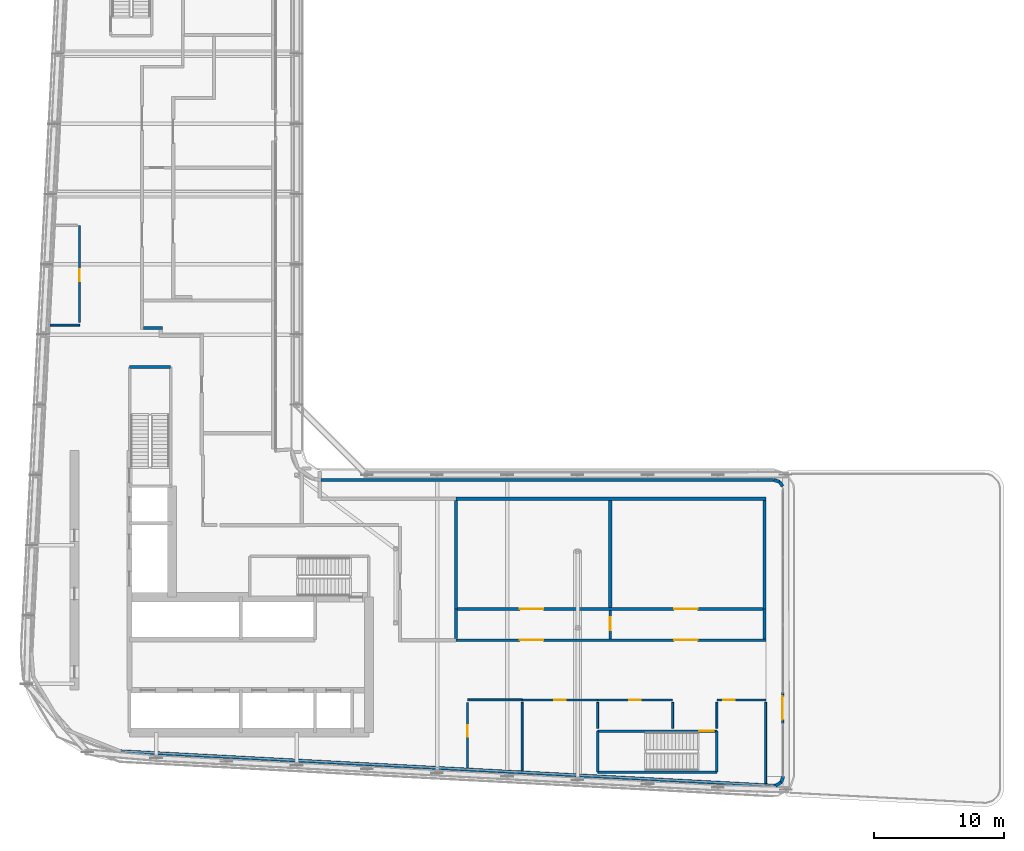
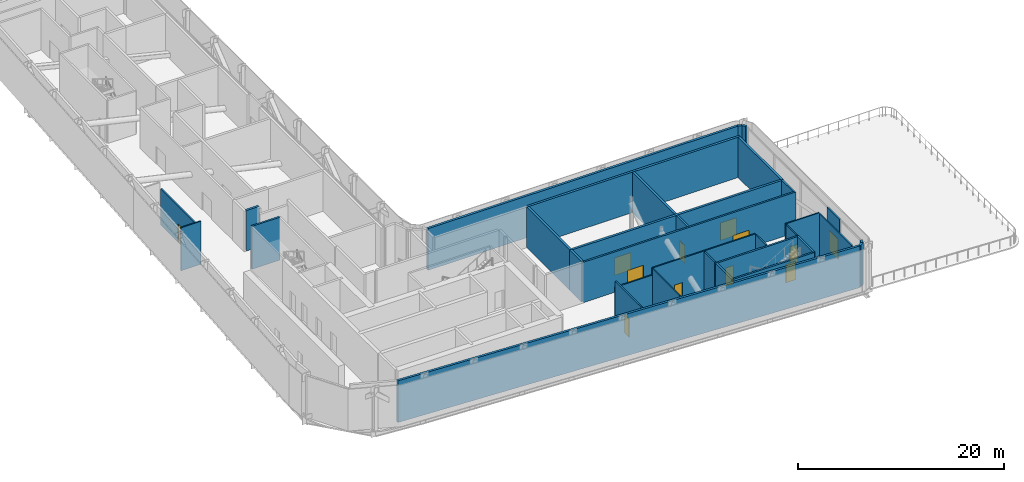
# One storey, part 14 of 23: 34 walls, 12 doors, 12 openings.
"""IFC4 building model written with IfcOpenShell, lengths in metres."""

from ifc_helpers import new_model, si_unit, direction, frame, frame_2d, origin, place, context, subcontext, project, spatial, rectangle, extrude, source, transform, mapped, material, layer, layer_set, type_object, element, fill, save


model = new_model("IFC4")

# Units and contexts
model_context = context("Model", 3, precision=1e-05, world=origin(), true_north=direction((0.0, 1.0)))
body_context = subcontext(model_context, "Body", "Model", "MODEL_VIEW")
ifc_project = project(units=[si_unit("LENGTHUNIT", "METRE"), si_unit("AREAUNIT", "SQUARE_METRE"), si_unit("VOLUMEUNIT", "CUBIC_METRE"), si_unit("PLANEANGLEUNIT", "RADIAN"), si_unit("MASSUNIT", "GRAM", prefix="KILO")], contexts=[model_context])

# Site, building, storey
site_placement = place(None, origin())
site = spatial("IfcSite", under=ifc_project, at=site_placement, CompositionType="ELEMENT")
building_placement = place(site_placement, origin())
building = spatial("IfcBuilding", under=site, at=building_placement, Name="Kheshtan School and Residences Tower", CompositionType="ELEMENT")
storey_placement = place(building_placement, frame((0.0, 0.0, 211.10009765625)))
storey = spatial("IfcBuildingStorey", under=building, at=storey_placement, Name="L49", CompositionType="ELEMENT", Elevation=211.10009765625)

# Wall, openings, doors
ifc_material_1 = material(Name="Gypsum board on steel studs with fire boards", Category="steel")
ifc_layer_1 = layer(ifc_material_1, 0.199951171875)
ifc_layer_set_1 = layer_set([ifc_layer_1], Name="Corridor wall 200")
wall_type_1 = type_object("IfcWallType", Name="Corridor wall 200", PredefinedType="PARTITIONING", material=ifc_layer_set_1)
wall_1_placement = place(storey_placement, frame((59.85302734375, 32.89990234375, 0.0), z_axis=(0.0, 0.0, 1.0), x_axis=(1.0, 0.0, 0.0)))
wall_1 = element("IfcWall", 1, at=wall_1_placement, inside=storey, type_object=wall_type_1, Name="Partition L49-053", PredefinedType="PARTITIONING", context=body_context, shape_type="SweptSolid", body=[
    extrude(rectangle(XDim=23.826904296875, YDim=0.199951171875, at=frame_2d((11.91357421875, 0.0))), origin(), (0.0, 0.0, 1.0), 4.7998046875),
])
opening_1_placement = place(wall_1_placement, frame((4.9140625, 0.0, 0.0)))
opening_1 = element("IfcOpeningElement", 2, at=opening_1_placement, cuts=wall_1, Name="Opening D49-010", PredefinedType="OPENING", context=body_context, shape_type="SweptSolid", body=[
    extrude(rectangle(XDim=1.800048828125, YDim=2.10009765625, at=frame_2d((0.89990234375, 1.050048828125))), frame((0.0, 0.10986328125, 0.0), z_axis=(0.0, -1.0, 0.0), x_axis=(1.0, 0.0, 0.0)), (0.0, 0.0, 1.0), 0.219970703125),
])
opening_2_placement = place(wall_1_placement, frame((16.777099609375, 0.0, 0.0)))
opening_2 = element("IfcOpeningElement", 3, at=opening_2_placement, cuts=wall_1, Name="Opening D49-012", PredefinedType="OPENING", context=body_context, shape_type="SweptSolid", body=[
    extrude(rectangle(XDim=1.800048828125, YDim=2.10009765625, at=frame_2d((0.89990234375, 1.050048828125))), frame((0.0, 0.10986328125, 0.0), z_axis=(0.0, -1.0, 0.0), x_axis=(1.0, 0.0, 0.0)), (0.0, 0.0, 1.0), 0.219970703125),
])
ifc_material_2 = material(Name="Steel-framed fire-resisting door leaf", Category="steel")
door_type_1 = type_object("IfcDoorType", Name="Fire double door FD60 1800 x 2100", OperationType="DOUBLE_DOOR_SINGLE_SWING", PredefinedType="DOOR", material=ifc_material_2)
shared_shape_1 = source(origin(), body_context, "Body", "SweptSolid", [
    extrude(rectangle(XDim=1.800048828125, YDim=2.10009765625, at=frame_2d((0.89990234375, 1.050048828125))), frame((0.0, 0.02490234375, 0.0), z_axis=(0.0, -1.0, 0.0), x_axis=(1.0, 0.0, 0.0)), (0.0, 0.0, 1.0), 0.050048828125),
])
door_1_placement = place(opening_1_placement, origin())
door_1 = element("IfcDoor", 4, at=door_1_placement, inside=storey, type_object=door_type_1, Name="Door D49-010", OperationType="DOUBLE_DOOR_SINGLE_SWING", OverallHeight=2.10009765625, OverallWidth=1.800048828125, PredefinedType="DOOR", context=body_context, shape_type="MappedRepresentation", body=[
    mapped(shared_shape_1, transform((0.0, 0.0, 0.0), x_axis=(1.0, 0.0, 0.0), y_axis=(0.0, 1.0, 0.0), z_axis=(0.0, 0.0, 1.0), scale=1.0)),
])
fill(opening_1, door_1)
door_2_placement = place(opening_2_placement, origin())
door_2 = element("IfcDoor", 5, at=door_2_placement, inside=storey, type_object=door_type_1, Name="Door D49-012", OperationType="DOUBLE_DOOR_SINGLE_SWING", OverallHeight=2.10009765625, OverallWidth=1.800048828125, PredefinedType="DOOR", context=body_context, shape_type="MappedRepresentation", body=[
    mapped(shared_shape_1, transform((0.0, 0.0, 0.0), x_axis=(1.0, 0.0, 0.0), y_axis=(0.0, 1.0, 0.0), z_axis=(0.0, 0.0, 1.0), scale=1.0)),
])
fill(opening_2, door_2)

# Wall, opening, door
wall_2_placement = place(storey_placement, frame((71.717041015625, 33.0, 0.0), z_axis=(0.0, 0.0, 1.0), x_axis=(0.0, 1.0, 0.0)))
wall_2 = element("IfcWall", 6, at=wall_2_placement, inside=storey, type_object=wall_type_1, Name="Partition L49-058", PredefinedType="PARTITIONING", context=body_context, shape_type="SweptSolid", body=[
    extrude(rectangle(XDim=2.175048828125, YDim=0.199951171875, at=frame_2d((1.08740234375, 0.0))), origin(), (0.0, 0.0, 1.0), 4.7998046875),
])
opening_3_placement = place(wall_2_placement, frame((0.64990234375, 0.0, 0.0)))
opening_3 = element("IfcOpeningElement", 7, at=opening_3_placement, cuts=wall_2, Name="Opening D49-011", PredefinedType="OPENING", context=body_context, shape_type="SweptSolid", body=[
    extrude(rectangle(XDim=1.0, YDim=2.10009765625, at=frame_2d((0.5, 1.050048828125))), frame((0.0, 0.10986328125, 0.0), z_axis=(0.0, -1.0, 0.0), x_axis=(1.0, 0.0, 0.0)), (0.0, 0.0, 1.0), 0.219970703125),
])
door_type_2 = type_object("IfcDoorType", Name="Fire door FD60 1000 x 2100", OperationType="SINGLE_SWING_LEFT", PredefinedType="DOOR", material=ifc_material_2)
shared_shape_2 = source(origin(), body_context, "Body", "SweptSolid", [
    extrude(rectangle(XDim=1.0, YDim=2.10009765625, at=frame_2d((0.5, 1.050048828125))), frame((0.0, 0.02490234375, 0.0), z_axis=(0.0, -1.0, 0.0), x_axis=(1.0, 0.0, 0.0)), (0.0, 0.0, 1.0), 0.050048828125),
])
door_3_placement = place(opening_3_placement, origin())
door_3 = element("IfcDoor", 8, at=door_3_placement, inside=storey, type_object=door_type_2, Name="Door D49-011", OperationType="SINGLE_SWING_LEFT", OverallHeight=2.10009765625, OverallWidth=1.0, PredefinedType="DOOR", context=body_context, shape_type="MappedRepresentation", body=[
    mapped(shared_shape_2, transform((0.0, 0.0, 0.0), x_axis=(1.0, 0.0, 0.0), y_axis=(0.0, 1.0, 0.0), z_axis=(0.0, 0.0, 1.0), scale=1.0)),
])
fill(opening_3, door_3)

# Walls
wall_3_placement = place(storey_placement, frame((83.580078125, 33.0, 0.0), z_axis=(0.0, 0.0, 1.0), x_axis=(0.0, 1.0, 0.0)))
element("IfcWall", 9, at=wall_3_placement, inside=storey, type_object=wall_type_1, Name="Partition L49-060", PredefinedType="PARTITIONING", context=body_context, shape_type="SweptSolid", body=[
    extrude(rectangle(XDim=2.300048828125, YDim=0.199951171875, at=frame_2d((1.14990234375, 0.0))), origin(), (0.0, 0.0, 1.0), 4.7998046875),
])
ifc_material_3 = material(Name="Concrete C40/50 with ceramic cladding and mineral wool insulation", Category="concrete")
ifc_layer_2 = layer(ifc_material_3, 0.25)
ifc_layer_set_2 = layer_set([ifc_layer_2], Name="External wall 250 ceramic clad")
wall_type_2 = type_object("IfcWallType", Name="External wall 250 ceramic clad", PredefinedType="SOLIDWALL", material=ifc_layer_set_2)
wall_4_placement = place(storey_placement, frame((84.2890625, 45.22509765625, 0.0), z_axis=(0.0, 0.0, 1.0), x_axis=(0.952979365451, -0.303035194367, 0.0)))
element("IfcWall", 10, at=wall_4_placement, inside=storey, type_object=wall_type_2, Name="External wall L49 1", PredefinedType="SOLIDWALL", context=body_context, shape_type="SweptSolid", body=[
    extrude(rectangle(XDim=0.478515625, YDim=0.25, at=frame_2d((0.2392578125, 0.0))), origin(), (0.0, 0.0, 1.0), 4.949951171875),
])
wall_5_placement = place(storey_placement, frame((84.7451171875, 45.080078125, 0.0), z_axis=(0.0, 0.0, 1.0), x_axis=(0.553909274329, -0.83257703296, 0.0)))
element("IfcWall", 11, at=wall_5_placement, inside=storey, type_object=wall_type_2, Name="External wall L49 2", PredefinedType="SOLIDWALL", context=body_context, shape_type="SweptSolid", body=[
    extrude(rectangle(XDim=0.427490234375, YDim=0.25, at=frame_2d((0.2138671875, 0.0))), origin(), (0.0, 0.0, 1.0), 4.949951171875),
])
wall_6_placement = place(storey_placement, frame((85.01904296875, 22.426025390625, 0.0), z_axis=(0.0, 0.0, 1.0), x_axis=(-0.311719287372, -0.950174239748, 0.0)))
element("IfcWall", 12, at=wall_6_placement, inside=storey, type_object=wall_type_2, Name="External wall L49 4", PredefinedType="SOLIDWALL", context=body_context, shape_type="SweptSolid", body=[
    extrude(rectangle(XDim=0.471435546875, YDim=0.25, at=frame_2d((0.23583984375, 0.0))), origin(), (0.0, 0.0, 1.0), 4.949951171875),
])
wall_7_placement = place(storey_placement, frame((84.8720703125, 21.97802734375, 0.0), z_axis=(0.0, 0.0, 1.0), x_axis=(-0.848912677732, -0.52853312629, 0.0)))
element("IfcWall", 13, at=wall_7_placement, inside=storey, type_object=wall_type_2, Name="External wall L49 5", PredefinedType="SOLIDWALL", context=body_context, shape_type="SweptSolid", body=[
    extrude(rectangle(XDim=0.524169921875, YDim=0.25, at=frame_2d((0.26220703125, 0.0))), origin(), (0.0, 0.0, 1.0), 4.949951171875),
])
wall_8_placement = place(storey_placement, frame((84.427001953125, 21.700927734375, 0.0), z_axis=(0.0, 0.0, 1.0), x_axis=(-0.998617722402, 0.052560864767, 0.0)))
element("IfcWall", 14, at=wall_8_placement, inside=storey, type_object=wall_type_2, Name="External wall L49 6", PredefinedType="SOLIDWALL", context=body_context, shape_type="SweptSolid", body=[
    extrude(rectangle(XDim=50.457763671875, YDim=0.25, at=frame_2d((25.22900390625, 0.0))), origin(), (0.0, 0.0, 1.0), 4.949951171875),
])
wall_9_placement = place(storey_placement, frame((49.47705078125, 45.22509765625, 0.0), z_axis=(0.0, 0.0, 1.0), x_axis=(1.0, 0.0, 0.0)))
element("IfcWall", 15, at=wall_9_placement, inside=storey, type_object=wall_type_2, Name="External wall L49 24", PredefinedType="SOLIDWALL", context=body_context, shape_type="SweptSolid", body=[
    extrude(rectangle(XDim=34.81201171875, YDim=0.25, at=frame_2d((17.406005859375, 0.0))), origin(), (0.0, 0.0, 1.0), 4.949951171875),
])

# Wall, opening, door
ifc_material_4 = material(Name="Aluminium frame wall with insulated infill", Category="aluminium")
ifc_layer_3 = layer(ifc_material_4, 0.14990234375)
ifc_layer_set_3 = layer_set([ifc_layer_3], Name="Glazing frame wall 150")
wall_type_3 = type_object("IfcWallType", Name="Glazing frame wall 150", PredefinedType="SOLIDWALL", material=ifc_layer_set_3)
wall_10_placement = place(storey_placement, frame((84.97509765625, 28.8701171875, 0.0), z_axis=(0.0, 0.0, 1.0), x_axis=(0.0, -1.0, 0.0)))
wall_10 = element("IfcWall", 16, at=wall_10_placement, inside=storey, type_object=wall_type_3, Name="Terrace door wall L49 3", PredefinedType="SOLIDWALL", context=body_context, shape_type="SweptSolid", body=[
    extrude(rectangle(XDim=2.400146484375, YDim=0.14990234375, at=frame_2d((1.2001953125, 0.0))), origin(), (0.0, 0.0, 1.0), 4.949951171875),
])
opening_4_placement = place(wall_10_placement, frame((0.300048828125, 0.0, 0.0)))
opening_4 = element("IfcOpeningElement", 17, at=opening_4_placement, cuts=wall_10, Name="Opening BD", PredefinedType="OPENING", context=body_context, shape_type="SweptSolid", body=[
    extrude(rectangle(XDim=1.800048828125, YDim=2.39990234375, at=frame_2d((0.89990234375, 1.199951171875))), frame((0.0, 0.0849609375, 0.0), z_axis=(0.0, -1.0, 0.0), x_axis=(1.0, 0.0, 0.0)), (0.0, 0.0, 1.0), 0.169921875),
])
ifc_material_5 = material(Name="Clear low-e glass in thermally broken aluminium frame", Category="aluminium")
door_type_3 = type_object("IfcDoorType", Name="Balcony sliding door", OperationType="SLIDING_TO_LEFT", PredefinedType="DOOR", material=ifc_material_5)
shared_shape_3 = source(origin(), body_context, "Body", "SweptSolid", [
    extrude(rectangle(XDim=1.800048828125, YDim=2.39990234375, at=frame_2d((0.89990234375, 1.199951171875))), frame((0.0, 0.02490234375, 0.0), z_axis=(0.0, -1.0, 0.0), x_axis=(1.0, 0.0, 0.0)), (0.0, 0.0, 1.0), 0.050048828125),
])
door_4_placement = place(opening_4_placement, origin())
door_4 = element("IfcDoor", 18, at=door_4_placement, inside=storey, type_object=door_type_3, Name="Terrace door L49 3", OperationType="SLIDING_TO_LEFT", OverallHeight=2.39990234375, OverallWidth=1.800048828125, PredefinedType="DOOR", context=body_context, shape_type="MappedRepresentation", body=[
    mapped(shared_shape_3, transform((0.0, 0.0, 0.0), x_axis=(1.0, 0.0, 0.0), y_axis=(0.0, 1.0, 0.0), z_axis=(0.0, 0.0, 1.0), scale=1.0)),
])
fill(opening_4, door_4)

# Walls
ifc_material_6 = material(Name="Fire-board and steel stud wall with mineral wool", Category="steel")
ifc_layer_4 = layer(ifc_material_6, 0.25)
ifc_layer_set_4 = layer_set([ifc_layer_4], Name="Plant room wall 250")
wall_type_4 = type_object("IfcWallType", Name="Plant room wall 250", PredefinedType="PARTITIONING", material=ifc_layer_set_4)
wall_11_placement = place(storey_placement, frame((35.824951171875, 56.89990234375, 0.0), z_axis=(0.0, 0.0, 1.0), x_axis=(1.0, 0.0, 0.0)))
element("IfcWall", 19, at=wall_11_placement, inside=storey, type_object=wall_type_4, Name="Partition L49-013", PredefinedType="PARTITIONING", context=body_context, shape_type="SweptSolid", body=[
    extrude(rectangle(XDim=1.449951171875, YDim=0.25, at=frame_2d((0.72509765625, 0.0))), origin(), (0.0, 0.0, 1.0), 4.7998046875),
])
wall_12_placement = place(storey_placement, frame((59.85302734375, 33.02490234375, 0.0), z_axis=(0.0, 0.0, 1.0), x_axis=(0.0, 1.0, 0.0)))
element("IfcWall", 20, at=wall_12_placement, inside=storey, type_object=wall_type_4, Name="Partition L49-054", PredefinedType="PARTITIONING", context=body_context, shape_type="SweptSolid", body=[
    extrude(rectangle(XDim=2.275146484375, YDim=0.25, at=frame_2d((1.1376953125, 0.0))), origin(), (0.0, 0.0, 1.0), 4.7998046875),
])
ifc_layer_5 = layer(ifc_material_6, 0.25)
ifc_layer_set_5 = layer_set([ifc_layer_5], Name="Refuge compartment wall 250")
wall_type_5 = type_object("IfcWallType", Name="Refuge compartment wall 250", PredefinedType="PARTITIONING", material=ifc_layer_set_5)
wall_13_placement = place(storey_placement, frame((59.85302734375, 35.300048828125, 0.0), z_axis=(0.0, 0.0, 1.0), x_axis=(0.0, 1.0, 0.0)))
element("IfcWall", 21, at=wall_13_placement, inside=storey, type_object=wall_type_5, Name="Partition L49-055", PredefinedType="PARTITIONING", context=body_context, shape_type="SweptSolid", body=[
    extrude(rectangle(XDim=8.35498046875, YDim=0.25, at=frame_2d((4.177490234375, 0.0))), origin(), (0.0, 0.0, 1.0), 4.7998046875),
])
wall_14_placement = place(storey_placement, frame((59.85302734375, 43.780029296875, 0.0), z_axis=(0.0, 0.0, 1.0), x_axis=(1.0, 0.0, 0.0)))
element("IfcWall", 22, at=wall_14_placement, inside=storey, type_object=wall_type_5, Name="Partition L49-056", PredefinedType="PARTITIONING", context=body_context, shape_type="SweptSolid", body=[
    extrude(rectangle(XDim=23.85205078125, YDim=0.25, at=frame_2d((11.926025390625, 0.0))), origin(), (0.0, 0.0, 1.0), 4.7998046875),
])

# Wall, openings, doors
wall_15_placement = place(storey_placement, frame((59.97802734375, 35.300048828125, 0.0), z_axis=(0.0, 0.0, 1.0), x_axis=(1.0, 0.0, 0.0)))
wall_15 = element("IfcWall", 23, at=wall_15_placement, inside=storey, type_object=wall_type_5, Name="Partition L49-057", PredefinedType="PARTITIONING", context=body_context, shape_type="SweptSolid", body=[
    extrude(rectangle(XDim=23.47705078125, YDim=0.25, at=frame_2d((11.738525390625, 0.0))), origin(), (0.0, 0.0, 1.0), 4.7998046875),
])
opening_5_placement = place(wall_15_placement, frame((4.7890625, 0.0, 0.0)))
opening_5 = element("IfcOpeningElement", 24, at=opening_5_placement, cuts=wall_15, Name="Opening D49-002", PredefinedType="OPENING", context=body_context, shape_type="SweptSolid", body=[
    extrude(rectangle(XDim=1.800048828125, YDim=2.10009765625, at=frame_2d((0.89990234375, 1.050048828125))), frame((0.0, 0.135009765625, 0.0), z_axis=(0.0, -1.0, 0.0), x_axis=(1.0, 0.0, 0.0)), (0.0, 0.0, 1.0), 0.27001953125),
])
opening_6_placement = place(wall_15_placement, frame((16.652099609375, 0.0, 0.0)))
opening_6 = element("IfcOpeningElement", 25, at=opening_6_placement, cuts=wall_15, Name="Opening D49-003", PredefinedType="OPENING", context=body_context, shape_type="SweptSolid", body=[
    extrude(rectangle(XDim=1.800048828125, YDim=2.10009765625, at=frame_2d((0.89990234375, 1.050048828125))), frame((0.0, 0.135009765625, 0.0), z_axis=(0.0, -1.0, 0.0), x_axis=(1.0, 0.0, 0.0)), (0.0, 0.0, 1.0), 0.27001953125),
])
door_type_4 = type_object("IfcDoorType", Name="Fire double door FD120 1800 x 2100", OperationType="DOUBLE_DOOR_SINGLE_SWING", PredefinedType="DOOR", material=ifc_material_2)
shared_shape_4 = source(origin(), body_context, "Body", "SweptSolid", [
    extrude(rectangle(XDim=1.800048828125, YDim=2.10009765625, at=frame_2d((0.89990234375, 1.050048828125))), frame((0.0, 0.02490234375, 0.0), z_axis=(0.0, -1.0, 0.0), x_axis=(1.0, 0.0, 0.0)), (0.0, 0.0, 1.0), 0.050048828125),
])
door_5_placement = place(opening_5_placement, origin())
door_5 = element("IfcDoor", 26, at=door_5_placement, inside=storey, type_object=door_type_4, Name="Door D49-002", OperationType="DOUBLE_DOOR_SINGLE_SWING", OverallHeight=2.10009765625, OverallWidth=1.800048828125, PredefinedType="DOOR", context=body_context, shape_type="MappedRepresentation", body=[
    mapped(shared_shape_4, transform((0.0, 0.0, 0.0), x_axis=(1.0, 0.0, 0.0), y_axis=(0.0, 1.0, 0.0), z_axis=(0.0, 0.0, 1.0), scale=1.0)),
])
fill(opening_5, door_5)
door_6_placement = place(opening_6_placement, origin())
door_6 = element("IfcDoor", 27, at=door_6_placement, inside=storey, type_object=door_type_4, Name="Door D49-003", OperationType="DOUBLE_DOOR_SINGLE_SWING", OverallHeight=2.10009765625, OverallWidth=1.800048828125, PredefinedType="DOOR", context=body_context, shape_type="MappedRepresentation", body=[
    mapped(shared_shape_4, transform((0.0, 0.0, 0.0), x_axis=(1.0, 0.0, 0.0), y_axis=(0.0, 1.0, 0.0), z_axis=(0.0, 0.0, 1.0), scale=1.0)),
])
fill(opening_6, door_6)

# Walls
wall_16_placement = place(storey_placement, frame((71.717041015625, 35.425048828125, 0.0), z_axis=(0.0, 0.0, 1.0), x_axis=(0.0, 1.0, 0.0)))
element("IfcWall", 28, at=wall_16_placement, inside=storey, type_object=wall_type_5, Name="Partition L49-059", PredefinedType="PARTITIONING", context=body_context, shape_type="SweptSolid", body=[
    extrude(rectangle(XDim=8.22998046875, YDim=0.25, at=frame_2d((4.114990234375, 0.0))), origin(), (0.0, 0.0, 1.0), 4.7998046875),
])
wall_17_placement = place(storey_placement, frame((83.580078125, 35.300048828125, 0.0), z_axis=(0.0, 0.0, 1.0), x_axis=(0.0, 1.0, 0.0)))
element("IfcWall", 29, at=wall_17_placement, inside=storey, type_object=wall_type_5, Name="Partition L49-061", PredefinedType="PARTITIONING", context=body_context, shape_type="SweptSolid", body=[
    extrude(rectangle(XDim=8.35498046875, YDim=0.25, at=frame_2d((4.177490234375, 0.0))), origin(), (0.0, 0.0, 1.0), 4.7998046875),
])
ifc_material_7 = material(Name="Fire-board shaft wall system")
ifc_layer_6 = layer(ifc_material_7, 0.14990234375)
ifc_layer_set_6 = layer_set([ifc_layer_6], Name="Service room wall 150")
wall_type_6 = type_object("IfcWallType", Name="Service room wall 150", PredefinedType="PARTITIONING", material=ifc_layer_set_6)
wall_18_placement = place(storey_placement, frame((28.64599609375, 57.123046875, 0.0), z_axis=(0.0, 0.0, 1.0), x_axis=(1.0, 0.0, 0.0)))
element("IfcWall", 30, at=wall_18_placement, inside=storey, type_object=wall_type_6, Name="Service room wall", PredefinedType="PARTITIONING", context=body_context, shape_type="SweptSolid", body=[
    extrude(rectangle(XDim=2.25390625, YDim=0.14990234375, at=frame_2d((1.126953125, 0.0))), origin(), (0.0, 0.0, 1.0), 5.099853515625),
])

# Wall, opening, door
wall_19_placement = place(storey_placement, frame((30.89990234375, 57.318115234375, 0.0), z_axis=(0.0, 0.0, 1.0), x_axis=(0.0, 1.0, 0.0)))
wall_19 = element("IfcWall", 31, at=wall_19_placement, inside=storey, type_object=wall_type_6, Name="Service room wall", PredefinedType="PARTITIONING", context=body_context, shape_type="SweptSolid", body=[
    extrude(rectangle(XDim=7.48193359375, YDim=0.14990234375, at=frame_2d((3.740966796875, 0.0))), origin(), (0.0, 0.0, 1.0), 4.27197265625),
])
opening_7_placement = place(wall_19_placement, frame((3.194091796875, 0.0, 0.0)))
opening_7 = element("IfcOpeningElement", 32, at=opening_7_placement, cuts=wall_19, Name="Opening SR90", PredefinedType="OPENING", context=body_context, shape_type="SweptSolid", body=[
    extrude(rectangle(XDim=0.89990234375, YDim=2.199951171875, at=frame_2d((0.449951171875, 1.10009765625))), frame((0.0, 0.0849609375, 0.0), z_axis=(0.0, -1.0, 0.0), x_axis=(1.0, 0.0, 0.0)), (0.0, 0.0, 1.0), 0.169921875),
])
ifc_material_8 = material(Name="Steel door leaf, galvanised", Category="steel")
door_type_5 = type_object("IfcDoorType", Name="Service room door 900 steel 90 min", OperationType="SINGLE_SWING_LEFT", PredefinedType="DOOR", material=ifc_material_8)
shared_shape_5 = source(origin(), body_context, "Body", "SweptSolid", [
    extrude(rectangle(XDim=0.89990234375, YDim=2.199951171875, at=frame_2d((0.449951171875, 1.10009765625))), frame((0.0, 0.02490234375, 0.0), z_axis=(0.0, -1.0, 0.0), x_axis=(1.0, 0.0, 0.0)), (0.0, 0.0, 1.0), 0.050048828125),
])
door_7_placement = place(opening_7_placement, origin())
door_7 = element("IfcDoor", 33, at=door_7_placement, inside=storey, type_object=door_type_5, Name="Service room door", OperationType="SINGLE_SWING_RIGHT", OverallHeight=2.199951171875, OverallWidth=0.89990234375, PredefinedType="DOOR", context=body_context, shape_type="MappedRepresentation", body=[
    mapped(shared_shape_5, transform((0.0, 0.0, 0.0), x_axis=(1.0, 0.0, 0.0), y_axis=(0.0, 1.0, 0.0), z_axis=(0.0, 0.0, 1.0), scale=1.0)),
])
fill(opening_7, door_7)

# Wall
wall_20_placement = place(storey_placement, frame((60.75, 28.300048828125, 0.0), z_axis=(0.0, 0.0, 1.0), x_axis=(1.0, 0.0, 0.0)))
element("IfcWall", 34, at=wall_20_placement, inside=storey, type_object=wall_type_6, Name="Service room wall", PredefinedType="PARTITIONING", context=body_context, shape_type="SweptSolid", body=[
    extrude(rectangle(XDim=4.18994140625, YDim=0.14990234375, at=frame_2d((2.094970703125, 0.0))), origin(), (0.0, 0.0, 1.0), 4.27197265625),
])

# Wall, opening, door
wall_21_placement = place(storey_placement, frame((60.75, 23.074951171875, 0.0), z_axis=(0.0, 0.0, 1.0), x_axis=(0.0, 1.0, 0.0)))
wall_21 = element("IfcWall", 35, at=wall_21_placement, inside=storey, type_object=wall_type_6, Name="Service room wall", PredefinedType="PARTITIONING", context=body_context, shape_type="SweptSolid", body=[
    extrude(rectangle(XDim=5.030029296875, YDim=0.14990234375, at=frame_2d((2.51513671875, 0.0))), origin(), (0.0, 0.0, 1.0), 5.099853515625),
])
opening_8_placement = place(wall_21_placement, frame((2.386962890625, 0.0, 0.0)))
opening_8 = element("IfcOpeningElement", 36, at=opening_8_placement, cuts=wall_21, Name="Opening SR90", PredefinedType="OPENING", context=body_context, shape_type="SweptSolid", body=[
    extrude(rectangle(XDim=0.89990234375, YDim=2.199951171875, at=frame_2d((0.449951171875, 1.10009765625))), frame((0.0, 0.0849609375, 0.0), z_axis=(0.0, -1.0, 0.0), x_axis=(1.0, 0.0, 0.0)), (0.0, 0.0, 1.0), 0.169921875),
])
door_8_placement = place(opening_8_placement, origin())
door_8 = element("IfcDoor", 37, at=door_8_placement, inside=storey, type_object=door_type_5, Name="Service room door", OperationType="SINGLE_SWING_LEFT", OverallHeight=2.199951171875, OverallWidth=0.89990234375, PredefinedType="DOOR", context=body_context, shape_type="MappedRepresentation", body=[
    mapped(shared_shape_5, transform((0.0, 0.0, 0.0), x_axis=(1.0, 0.0, 0.0), y_axis=(0.0, 1.0, 0.0), z_axis=(0.0, 0.0, 1.0), scale=1.0)),
])
fill(opening_8, door_8)

# Wall
wall_22_placement = place(storey_placement, frame((64.93994140625, 22.85400390625, 0.0), z_axis=(0.0, 0.0, 1.0), x_axis=(0.0, 1.0, 0.0)))
element("IfcWall", 38, at=wall_22_placement, inside=storey, type_object=wall_type_6, Name="Service room wall", PredefinedType="PARTITIONING", context=body_context, shape_type="SweptSolid", body=[
    extrude(rectangle(XDim=5.2509765625, YDim=0.14990234375, at=frame_2d((2.62548828125, 0.0))), origin(), (0.0, 0.0, 1.0), 5.099853515625),
])

# Wall, opening, door
wall_23_placement = place(storey_placement, frame((64.93994140625, 28.300048828125, 0.0), z_axis=(0.0, 0.0, 1.0), x_axis=(1.0, 0.0, 0.0)))
wall_23 = element("IfcWall", 39, at=wall_23_placement, inside=storey, type_object=wall_type_6, Name="Service room wall", PredefinedType="PARTITIONING", context=body_context, shape_type="SweptSolid", body=[
    extrude(rectangle(XDim=5.81005859375, YDim=0.14990234375, at=frame_2d((2.905029296875, 0.0))), origin(), (0.0, 0.0, 1.0), 5.099853515625),
])
opening_9_placement = place(wall_23_placement, frame((2.455078125, 0.0, 0.0)))
opening_9 = element("IfcOpeningElement", 40, at=opening_9_placement, cuts=wall_23, Name="Opening SR90", PredefinedType="OPENING", context=body_context, shape_type="SweptSolid", body=[
    extrude(rectangle(XDim=0.89990234375, YDim=2.199951171875, at=frame_2d((0.449951171875, 1.10009765625))), frame((0.0, 0.0849609375, 0.0), z_axis=(0.0, -1.0, 0.0), x_axis=(1.0, 0.0, 0.0)), (0.0, 0.0, 1.0), 0.169921875),
])
door_9_placement = place(opening_9_placement, origin())
door_9 = element("IfcDoor", 41, at=door_9_placement, inside=storey, type_object=door_type_5, Name="Service room door", OperationType="SINGLE_SWING_RIGHT", OverallHeight=2.199951171875, OverallWidth=0.89990234375, PredefinedType="DOOR", context=body_context, shape_type="MappedRepresentation", body=[
    mapped(shared_shape_5, transform((0.0, 0.0, 0.0), x_axis=(1.0, 0.0, 0.0), y_axis=(0.0, 1.0, 0.0), z_axis=(0.0, 0.0, 1.0), scale=1.0)),
])
fill(opening_9, door_9)

# Wall
wall_24_placement = place(storey_placement, frame((70.75, 26.1201171875, 0.0), z_axis=(0.0, 0.0, 1.0), x_axis=(0.0, 1.0, 0.0)))
element("IfcWall", 42, at=wall_24_placement, inside=storey, type_object=wall_type_6, Name="Service room wall", PredefinedType="PARTITIONING", context=body_context, shape_type="SweptSolid", body=[
    extrude(rectangle(XDim=1.98486328125, YDim=0.14990234375, at=frame_2d((0.992431640625, 0.0))), origin(), (0.0, 0.0, 1.0), 5.099853515625),
])

# Wall, opening, door
wall_25_placement = place(storey_placement, frame((70.75, 28.300048828125, 0.0), z_axis=(0.0, 0.0, 1.0), x_axis=(1.0, 0.0, 0.0)))
wall_25 = element("IfcWall", 43, at=wall_25_placement, inside=storey, type_object=wall_type_6, Name="Service room wall", PredefinedType="PARTITIONING", context=body_context, shape_type="SweptSolid", body=[
    extrude(rectangle(XDim=5.760009765625, YDim=0.14990234375, at=frame_2d((2.8798828125, 0.0))), origin(), (0.0, 0.0, 1.0), 5.099853515625),
])
opening_10_placement = place(wall_25_placement, frame((2.429931640625, 0.0, 0.0)))
opening_10 = element("IfcOpeningElement", 44, at=opening_10_placement, cuts=wall_25, Name="Opening SR90", PredefinedType="OPENING", context=body_context, shape_type="SweptSolid", body=[
    extrude(rectangle(XDim=0.89990234375, YDim=2.199951171875, at=frame_2d((0.449951171875, 1.10009765625))), frame((0.0, 0.0849609375, 0.0), z_axis=(0.0, -1.0, 0.0), x_axis=(1.0, 0.0, 0.0)), (0.0, 0.0, 1.0), 0.169921875),
])
door_10_placement = place(opening_10_placement, origin())
door_10 = element("IfcDoor", 45, at=door_10_placement, inside=storey, type_object=door_type_5, Name="Service room door", OperationType="SINGLE_SWING_LEFT", OverallHeight=2.199951171875, OverallWidth=0.89990234375, PredefinedType="DOOR", context=body_context, shape_type="MappedRepresentation", body=[
    mapped(shared_shape_5, transform((0.0, 0.0, 0.0), x_axis=(1.0, 0.0, 0.0), y_axis=(0.0, 1.0, 0.0), z_axis=(0.0, 0.0, 1.0), scale=1.0)),
])
fill(opening_10, door_10)

# Wall
wall_26_placement = place(storey_placement, frame((76.510009765625, 26.1201171875, 0.0), z_axis=(0.0, 0.0, 1.0), x_axis=(0.0, 1.0, 0.0)))
element("IfcWall", 46, at=wall_26_placement, inside=storey, type_object=wall_type_6, Name="Service room wall", PredefinedType="PARTITIONING", context=body_context, shape_type="SweptSolid", body=[
    extrude(rectangle(XDim=1.98486328125, YDim=0.14990234375, at=frame_2d((0.992431640625, 0.0))), origin(), (0.0, 0.0, 1.0), 5.099853515625),
])

# Wall, opening, door
wall_27_placement = place(storey_placement, frame((79.909912109375, 28.300048828125, 0.0), z_axis=(0.0, 0.0, 1.0), x_axis=(1.0, 0.0, 0.0)))
wall_27 = element("IfcWall", 47, at=wall_27_placement, inside=storey, type_object=wall_type_6, Name="Service room wall", PredefinedType="PARTITIONING", context=body_context, shape_type="SweptSolid", body=[
    extrude(rectangle(XDim=3.7880859375, YDim=0.14990234375, at=frame_2d((1.89404296875, 0.0))), origin(), (0.0, 0.0, 1.0), 5.099853515625),
])
opening_11_placement = place(wall_27_placement, frame((0.4951171875, 0.0, 0.0)))
opening_11 = element("IfcOpeningElement", 48, at=opening_11_placement, cuts=wall_27, Name="Opening SR90", PredefinedType="OPENING", context=body_context, shape_type="SweptSolid", body=[
    extrude(rectangle(XDim=0.89990234375, YDim=2.199951171875, at=frame_2d((0.449951171875, 1.10009765625))), frame((0.0, 0.0849609375, 0.0), z_axis=(0.0, -1.0, 0.0), x_axis=(1.0, 0.0, 0.0)), (0.0, 0.0, 1.0), 0.169921875),
])
door_11_placement = place(opening_11_placement, origin())
door_11 = element("IfcDoor", 49, at=door_11_placement, inside=storey, type_object=door_type_5, Name="Service room door", OperationType="SINGLE_SWING_RIGHT", OverallHeight=2.199951171875, OverallWidth=0.89990234375, PredefinedType="DOOR", context=body_context, shape_type="MappedRepresentation", body=[
    mapped(shared_shape_5, transform((0.0, 0.0, 0.0), x_axis=(1.0, 0.0, 0.0), y_axis=(0.0, 1.0, 0.0), z_axis=(0.0, 0.0, 1.0), scale=1.0)),
])
fill(opening_11, door_11)

# Walls
wall_28_placement = place(storey_placement, frame((79.909912109375, 26.1201171875, 0.0), z_axis=(0.0, 0.0, 1.0), x_axis=(0.0, 1.0, 0.0)))
element("IfcWall", 50, at=wall_28_placement, inside=storey, type_object=wall_type_6, Name="Service room wall", PredefinedType="PARTITIONING", context=body_context, shape_type="SweptSolid", body=[
    extrude(rectangle(XDim=1.98486328125, YDim=0.14990234375, at=frame_2d((0.992431640625, 0.0))), origin(), (0.0, 0.0, 1.0), 5.099853515625),
])
wall_29_placement = place(storey_placement, frame((83.669921875, 21.867919921875, 0.0), z_axis=(0.0, 0.0, 1.0), x_axis=(0.0, 1.0, 0.0)))
element("IfcWall", 51, at=wall_29_placement, inside=storey, type_object=wall_type_6, Name="Service room wall", PredefinedType="PARTITIONING", context=body_context, shape_type="SweptSolid", body=[
    extrude(rectangle(XDim=6.237060546875, YDim=0.14990234375, at=frame_2d((3.11865234375, 0.0))), origin(), (0.0, 0.0, 1.0), 5.099853515625),
])
ifc_material_9 = material(Name="Concrete C40/50", Category="concrete")
ifc_layer_7 = layer(ifc_material_9, 0.199951171875)
ifc_layer_set_7 = layer_set([ifc_layer_7], Name="Stair enclosure wall 200 Concrete C40/50")
wall_type_7 = type_object("IfcWallType", Name="Stair enclosure wall 200 Concrete C40/50", PredefinedType="SHEAR", material=ifc_layer_set_7)
wall_30_placement = place(storey_placement, frame((34.75, 53.909912109375, 0.0), z_axis=(0.0, 0.0, 1.0), x_axis=(1.0, 0.0, 0.0)))
element("IfcWall", 52, at=wall_30_placement, inside=storey, type_object=wall_type_7, Name="Stair enclosure wall ST2", PredefinedType="SHEAR", context=body_context, shape_type="SweptSolid", body=[
    extrude(rectangle(XDim=3.14990234375, YDim=0.199951171875, at=frame_2d((1.574951171875, 0.0))), origin(), (0.0, 0.0, 1.0), 5.099853515625),
])
wall_31_placement = place(storey_placement, frame((70.75, 22.75, 0.0), z_axis=(0.0, 0.0, 1.0), x_axis=(1.0, 0.0, 0.0)))
element("IfcWall", 53, at=wall_31_placement, inside=storey, type_object=wall_type_7, Name="Stair enclosure wall ST5", PredefinedType="SHEAR", context=body_context, shape_type="SweptSolid", body=[
    extrude(rectangle(XDim=9.159912109375, YDim=0.199951171875, at=frame_2d((4.580078125, 0.0))), origin(), (0.0, 0.0, 1.0), 5.099853515625),
])

# Wall, opening, door
wall_32_placement = place(storey_placement, frame((70.75, 25.89990234375, 0.0), z_axis=(0.0, 0.0, 1.0), x_axis=(1.0, 0.0, 0.0)))
wall_32 = element("IfcWall", 54, at=wall_32_placement, inside=storey, type_object=wall_type_7, Name="Stair enclosure wall ST5", PredefinedType="SHEAR", context=body_context, shape_type="SweptSolid", body=[
    extrude(rectangle(XDim=9.159912109375, YDim=0.199951171875, at=frame_2d((4.580078125, 0.0))), origin(), (0.0, 0.0, 1.0), 5.099853515625),
])
opening_12_placement = place(wall_32_placement, frame((7.81005859375, 0.0, 0.0)))
opening_12 = element("IfcOpeningElement", 55, at=opening_12_placement, cuts=wall_32, Name="Opening ST5D", PredefinedType="OPENING", context=body_context, shape_type="SweptSolid", body=[
    extrude(rectangle(XDim=1.10009765625, YDim=2.199951171875, at=frame_2d((0.550048828125, 1.10009765625))), frame((0.0, 0.10986328125, 0.0), z_axis=(0.0, -1.0, 0.0), x_axis=(1.0, 0.0, 0.0)), (0.0, 0.0, 1.0), 0.219970703125),
])
door_type_6 = type_object("IfcDoorType", Name="Stair door 1100 steel 90 min", OperationType="SINGLE_SWING_LEFT", PredefinedType="DOOR", material=ifc_material_8)
shared_shape_6 = source(origin(), body_context, "Body", "SweptSolid", [
    extrude(rectangle(XDim=1.10009765625, YDim=2.199951171875, at=frame_2d((0.550048828125, 1.10009765625))), frame((0.0, 0.02490234375, 0.0), z_axis=(0.0, -1.0, 0.0), x_axis=(1.0, 0.0, 0.0)), (0.0, 0.0, 1.0), 0.050048828125),
])
door_12_placement = place(opening_12_placement, origin())
door_12 = element("IfcDoor", 56, at=door_12_placement, inside=storey, type_object=door_type_6, Name="Stair ST5 door", OperationType="SINGLE_SWING_LEFT", OverallHeight=2.199951171875, OverallWidth=1.10009765625, PredefinedType="DOOR", context=body_context, shape_type="MappedRepresentation", body=[
    mapped(shared_shape_6, transform((0.0, 0.0, 0.0), x_axis=(1.0, 0.0, 0.0), y_axis=(0.0, 1.0, 0.0), z_axis=(0.0, 0.0, 1.0), scale=1.0)),
])
fill(opening_12, door_12)

# Walls
for number, where, z_axis, x_axis, name in (
    (57, (70.75, 22.75, 0.0), (0.0, 0.0, 1.0), (0.0, 1.0, 0.0), "Stair enclosure wall ST5"),
    (58, (79.909912109375, 22.75, 0.0), (0.0, 0.0, 1.0), (0.0, 1.0, 0.0), "Stair enclosure wall ST5"),
):
    element("IfcWall", number, at=place(storey_placement, frame(where, z_axis=z_axis, x_axis=x_axis)), inside=storey, type_object=wall_type_7, Name=name, PredefinedType="SHEAR", context=body_context, shape_type="SweptSolid", body=[
        extrude(rectangle(XDim=3.14990234375, YDim=0.199951171875, at=frame_2d((1.574951171875, 0.0))), origin(), (0.0, 0.0, 1.0), 5.099853515625),
    ])

save(model, "model.ifc")
